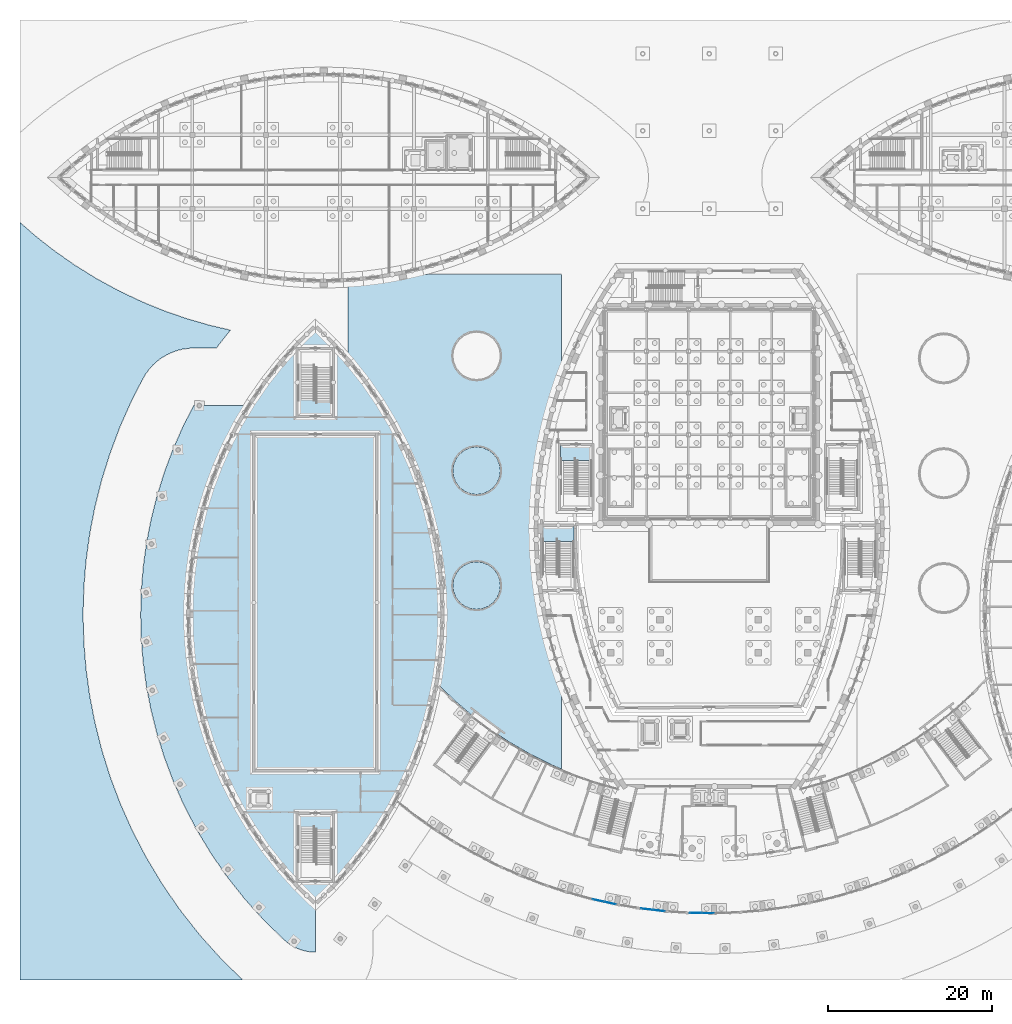
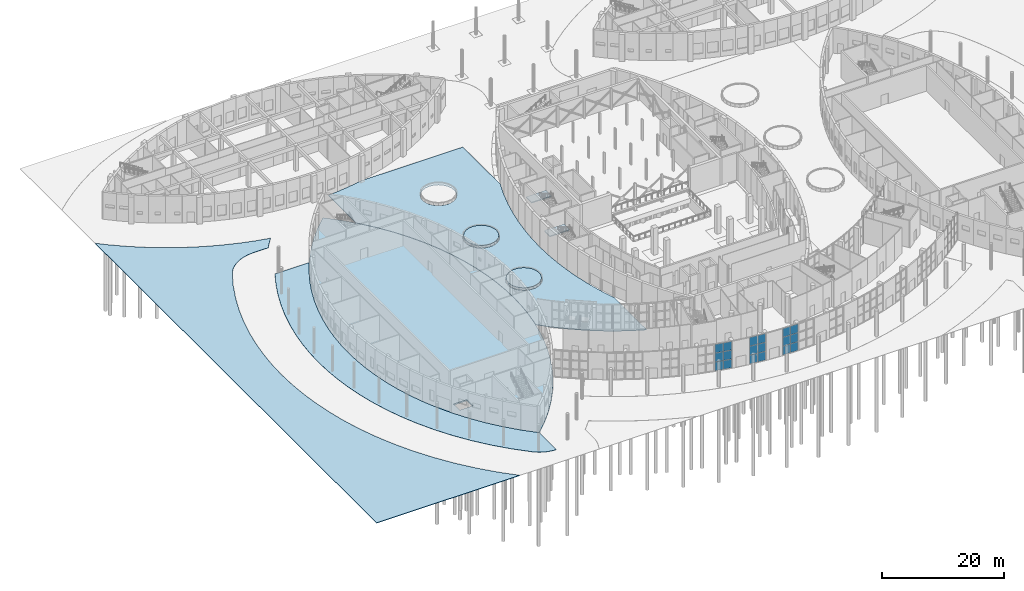
# One storey, part 30 of 82: 18 plates, 8 slabs, 5 elements without a shape of their own.
"""IFC4 building model written with IfcOpenShell, lengths in metres."""

from ifc_helpers import new_model, si_unit, direction, frame, origin, origin_2d, place, context, subcontext, project, spatial, polyline, rectangle, outline, extrude, material, layer, layer_set, type_object, element, aggregate, save


model = new_model("IFC4")

# Units and contexts
model_context = context("Model", 3, precision=1e-05, world=origin(), true_north=direction((0.0, 1.0)))
body_context = subcontext(model_context, "Body", "Model", "MODEL_VIEW")
ifc_project = project(units=[si_unit("LENGTHUNIT", "METRE"), si_unit("AREAUNIT", "SQUARE_METRE"), si_unit("VOLUMEUNIT", "CUBIC_METRE"), si_unit("PLANEANGLEUNIT", "RADIAN"), si_unit("MASSUNIT", "GRAM", prefix="KILO")], contexts=[model_context])

# Site, building, storey
site_placement = place(None, origin())
site = spatial("IfcSite", under=ifc_project, at=site_placement, CompositionType="ELEMENT")
building_placement = place(site_placement, origin())
building = spatial("IfcBuilding", under=site, at=building_placement, Name="Tide Square Theatres", CompositionType="ELEMENT")
storey_placement = place(building_placement, origin())
storey = spatial("IfcBuildingStorey", under=building, at=storey_placement, Name="L00", CompositionType="ELEMENT", Elevation=0.0)

# Curtain wall, plates
ifc_material_1 = material(Name="Aluminium 6063-T5", Category="aluminium")
curtain_wall_type = type_object("IfcCurtainWallType", Name="Unitised system curtain wall 5400 high", PredefinedType="USERDEFINED", material=ifc_material_1)
curtain_wall_1_placement = place(storey_placement, origin())
curtain_wall_1 = element("IfcCurtainWall", 1, at=curtain_wall_1_placement, inside=storey, type_object=curtain_wall_type, Name="Foyer outer curtain wall", ObjectType="UNITISED SYSTEM", PredefinedType="USERDEFINED")
ifc_material_2 = material(Name="Double-glazed unit with aluminium frame", Category="aluminium")
ifc_layer_1 = layer(ifc_material_2, 0.030029296875)
ifc_layer_set_1 = layer_set([ifc_layer_1], Name="Double-glazed unit with aluminium frame")
plate_type = type_object("IfcPlateType", Name="Curtain wall panel 30 thick", PredefinedType="CURTAIN_PANEL", material=ifc_layer_set_1)
plate_1_placement = place(storey_placement, frame((70.494873046875, 9.6826171875, 0.050048828125), z_axis=(0.0, 0.0, 1.0), x_axis=(0.976909597447, -0.213653079584, 0.0)))
plate_1 = element("IfcPlate", 2, at=plate_1_placement, type_object=plate_type, Name="CW-01 panel 1.1", PredefinedType="CURTAIN_PANEL", context=body_context, shape_type="SweptSolid", body=[
    extrude(rectangle(XDim=1.407958984375, YDim=0.030029296875, at=origin_2d()), origin(), (0.0, 0.0, 1.0), 1.72509765625),
])
plate_2_placement = place(storey_placement, frame((70.494873046875, 9.6826171875, 1.824951171875), z_axis=(0.0, 0.0, 1.0), x_axis=(0.976909597447, -0.213653079584, 0.0)))
plate_2 = element("IfcPlate", 3, at=plate_2_placement, type_object=plate_type, Name="CW-01 panel 1.2", PredefinedType="CURTAIN_PANEL", context=body_context, shape_type="SweptSolid", body=[
    extrude(rectangle(XDim=1.407958984375, YDim=0.030029296875, at=origin_2d()), origin(), (0.0, 0.0, 1.0), 1.75),
])
plate_3_placement = place(storey_placement, frame((70.494873046875, 9.6826171875, 3.625), z_axis=(0.0, 0.0, 1.0), x_axis=(0.976909597447, -0.213653079584, 0.0)))
plate_3 = element("IfcPlate", 4, at=plate_3_placement, type_object=plate_type, Name="CW-01 panel 1.3", PredefinedType="CURTAIN_PANEL", context=body_context, shape_type="SweptSolid", body=[
    extrude(rectangle(XDim=1.407958984375, YDim=0.030029296875, at=origin_2d()), origin(), (0.0, 0.0, 1.0), 1.72509765625),
])
plate_4_placement = place(storey_placement, frame((71.928955078125, 9.369140625, 0.050048828125), z_axis=(0.0, 0.0, 1.0), x_axis=(0.976909597447, -0.213653079584, 0.0)))
plate_4 = element("IfcPlate", 5, at=plate_4_placement, type_object=plate_type, Name="CW-01 panel 2.1", PredefinedType="CURTAIN_PANEL", context=body_context, shape_type="SweptSolid", body=[
    extrude(rectangle(XDim=1.407958984375, YDim=0.030029296875, at=origin_2d()), origin(), (0.0, 0.0, 1.0), 1.72509765625),
])
plate_5_placement = place(storey_placement, frame((71.928955078125, 9.369140625, 1.824951171875), z_axis=(0.0, 0.0, 1.0), x_axis=(0.976909597447, -0.213653079584, 0.0)))
plate_5 = element("IfcPlate", 6, at=plate_5_placement, type_object=plate_type, Name="CW-01 panel 2.2", PredefinedType="CURTAIN_PANEL", context=body_context, shape_type="SweptSolid", body=[
    extrude(rectangle(XDim=1.407958984375, YDim=0.030029296875, at=origin_2d()), origin(), (0.0, 0.0, 1.0), 1.75),
])
plate_6_placement = place(storey_placement, frame((71.928955078125, 9.369140625, 3.625), z_axis=(0.0, 0.0, 1.0), x_axis=(0.976909597447, -0.213653079584, 0.0)))
plate_6 = element("IfcPlate", 7, at=plate_6_placement, type_object=plate_type, Name="CW-01 panel 2.3", PredefinedType="CURTAIN_PANEL", context=body_context, shape_type="SweptSolid", body=[
    extrude(rectangle(XDim=1.407958984375, YDim=0.030029296875, at=origin_2d()), origin(), (0.0, 0.0, 1.0), 1.72509765625),
])
aggregate(curtain_wall_1, [plate_1, plate_2, plate_3, plate_4, plate_5, plate_6])

curtain_wall_2_placement = place(storey_placement, origin())
curtain_wall_2 = element("IfcCurtainWall", 8, at=curtain_wall_2_placement, inside=storey, type_object=curtain_wall_type, Name="Foyer outer curtain wall", ObjectType="UNITISED SYSTEM", PredefinedType="USERDEFINED")
plate_7_placement = place(storey_placement, frame((76.389404296875, 8.625, 0.050048828125), z_axis=(0.0, 0.0, 1.0), x_axis=(0.993370727282, -0.114954765797, 0.0)))
plate_7 = element("IfcPlate", 9, at=plate_7_placement, type_object=plate_type, Name="CW-01 panel 1.1", PredefinedType="CURTAIN_PANEL", context=body_context, shape_type="SweptSolid", body=[
    extrude(rectangle(XDim=1.407958984375, YDim=0.030029296875, at=origin_2d()), origin(), (0.0, 0.0, 1.0), 1.72509765625),
])
plate_8_placement = place(storey_placement, frame((76.389404296875, 8.625, 1.824951171875), z_axis=(0.0, 0.0, 1.0), x_axis=(0.993370727282, -0.114954765797, 0.0)))
plate_8 = element("IfcPlate", 10, at=plate_8_placement, type_object=plate_type, Name="CW-01 panel 1.2", PredefinedType="CURTAIN_PANEL", context=body_context, shape_type="SweptSolid", body=[
    extrude(rectangle(XDim=1.407958984375, YDim=0.030029296875, at=origin_2d()), origin(), (0.0, 0.0, 1.0), 1.75),
])
plate_9_placement = place(storey_placement, frame((76.389404296875, 8.625, 3.625), z_axis=(0.0, 0.0, 1.0), x_axis=(0.993370727282, -0.114954765797, 0.0)))
plate_9 = element("IfcPlate", 11, at=plate_9_placement, type_object=plate_type, Name="CW-01 panel 1.3", PredefinedType="CURTAIN_PANEL", context=body_context, shape_type="SweptSolid", body=[
    extrude(rectangle(XDim=1.407958984375, YDim=0.030029296875, at=origin_2d()), origin(), (0.0, 0.0, 1.0), 1.72509765625),
])
plate_10_placement = place(storey_placement, frame((77.84765625, 8.456298828125, 0.050048828125), z_axis=(0.0, 0.0, 1.0), x_axis=(0.993370727282, -0.114954765797, 0.0)))
plate_10 = element("IfcPlate", 12, at=plate_10_placement, type_object=plate_type, Name="CW-01 panel 2.1", PredefinedType="CURTAIN_PANEL", context=body_context, shape_type="SweptSolid", body=[
    extrude(rectangle(XDim=1.407958984375, YDim=0.030029296875, at=origin_2d()), origin(), (0.0, 0.0, 1.0), 1.72509765625),
])
plate_11_placement = place(storey_placement, frame((77.84765625, 8.456298828125, 1.824951171875), z_axis=(0.0, 0.0, 1.0), x_axis=(0.993370727282, -0.114954765797, 0.0)))
plate_11 = element("IfcPlate", 13, at=plate_11_placement, type_object=plate_type, Name="CW-01 panel 2.2", PredefinedType="CURTAIN_PANEL", context=body_context, shape_type="SweptSolid", body=[
    extrude(rectangle(XDim=1.407958984375, YDim=0.030029296875, at=origin_2d()), origin(), (0.0, 0.0, 1.0), 1.75),
])
plate_12_placement = place(storey_placement, frame((77.84765625, 8.456298828125, 3.625), z_axis=(0.0, 0.0, 1.0), x_axis=(0.993370727282, -0.114954765797, 0.0)))
plate_12 = element("IfcPlate", 14, at=plate_12_placement, type_object=plate_type, Name="CW-01 panel 2.3", PredefinedType="CURTAIN_PANEL", context=body_context, shape_type="SweptSolid", body=[
    extrude(rectangle(XDim=1.407958984375, YDim=0.030029296875, at=origin_2d()), origin(), (0.0, 0.0, 1.0), 1.72509765625),
])
aggregate(curtain_wall_2, [plate_7, plate_8, plate_9, plate_10, plate_11, plate_12])

curtain_wall_3_placement = place(storey_placement, origin())
curtain_wall_3 = element("IfcCurtainWall", 15, at=curtain_wall_3_placement, inside=storey, type_object=curtain_wall_type, Name="Foyer outer curtain wall", ObjectType="UNITISED SYSTEM", PredefinedType="USERDEFINED")
plate_13_placement = place(storey_placement, frame((82.360107421875, 8.161865234375, 0.050048828125), z_axis=(0.0, 0.0, 1.0), x_axis=(0.999885679455, -0.015120450414, 0.0)))
plate_13 = element("IfcPlate", 16, at=plate_13_placement, type_object=plate_type, Name="CW-01 panel 1.1", PredefinedType="CURTAIN_PANEL", context=body_context, shape_type="SweptSolid", body=[
    extrude(rectangle(XDim=1.407958984375, YDim=0.030029296875, at=origin_2d()), origin(), (0.0, 0.0, 1.0), 1.72509765625),
])
plate_14_placement = place(storey_placement, frame((82.360107421875, 8.161865234375, 1.824951171875), z_axis=(0.0, 0.0, 1.0), x_axis=(0.999885679455, -0.015120450414, 0.0)))
plate_14 = element("IfcPlate", 17, at=plate_14_placement, type_object=plate_type, Name="CW-01 panel 1.2", PredefinedType="CURTAIN_PANEL", context=body_context, shape_type="SweptSolid", body=[
    extrude(rectangle(XDim=1.407958984375, YDim=0.030029296875, at=origin_2d()), origin(), (0.0, 0.0, 1.0), 1.75),
])
plate_15_placement = place(storey_placement, frame((82.360107421875, 8.161865234375, 3.625), z_axis=(0.0, 0.0, 1.0), x_axis=(0.999885679455, -0.015120450414, 0.0)))
plate_15 = element("IfcPlate", 18, at=plate_15_placement, type_object=plate_type, Name="CW-01 panel 1.3", PredefinedType="CURTAIN_PANEL", context=body_context, shape_type="SweptSolid", body=[
    extrude(rectangle(XDim=1.407958984375, YDim=0.030029296875, at=origin_2d()), origin(), (0.0, 0.0, 1.0), 1.72509765625),
])
plate_16_placement = place(storey_placement, frame((83.827880859375, 8.1396484375, 0.050048828125), z_axis=(0.0, 0.0, 1.0), x_axis=(0.999885679455, -0.015120450414, 0.0)))
plate_16 = element("IfcPlate", 19, at=plate_16_placement, type_object=plate_type, Name="CW-01 panel 2.1", PredefinedType="CURTAIN_PANEL", context=body_context, shape_type="SweptSolid", body=[
    extrude(rectangle(XDim=1.407958984375, YDim=0.030029296875, at=origin_2d()), origin(), (0.0, 0.0, 1.0), 1.72509765625),
])
plate_17_placement = place(storey_placement, frame((83.827880859375, 8.1396484375, 1.824951171875), z_axis=(0.0, 0.0, 1.0), x_axis=(0.999885679455, -0.015120450414, 0.0)))
plate_17 = element("IfcPlate", 20, at=plate_17_placement, type_object=plate_type, Name="CW-01 panel 2.2", PredefinedType="CURTAIN_PANEL", context=body_context, shape_type="SweptSolid", body=[
    extrude(rectangle(XDim=1.407958984375, YDim=0.030029296875, at=origin_2d()), origin(), (0.0, 0.0, 1.0), 1.75),
])
plate_18_placement = place(storey_placement, frame((83.827880859375, 8.1396484375, 3.625), z_axis=(0.0, 0.0, 1.0), x_axis=(0.999885679455, -0.015120450414, 0.0)))
plate_18 = element("IfcPlate", 21, at=plate_18_placement, type_object=plate_type, Name="CW-01 panel 2.3", PredefinedType="CURTAIN_PANEL", context=body_context, shape_type="SweptSolid", body=[
    extrude(rectangle(XDim=1.407958984375, YDim=0.030029296875, at=origin_2d()), origin(), (0.0, 0.0, 1.0), 1.72509765625),
])
aggregate(curtain_wall_3, [plate_13, plate_14, plate_15, plate_16, plate_17, plate_18])

# Slabs
ifc_material_3 = material(Name="Concrete C30", Category="concrete")
ifc_layer_2 = layer(ifc_material_3, 0.10009765625)
ifc_layer_set_2 = layer_set([ifc_layer_2], Name="Concrete C30")
slab_type_1 = type_object("IfcSlabType", Name="Paving slab 100", PredefinedType="USERDEFINED", material=ifc_layer_set_2)
slab_1_placement = place(storey_placement, frame((0.0, 0.0, -0.10009765625)))
element("IfcSlab", 22, at=slab_1_placement, inside=storey, type_object=slab_type_1, Name="Arcade paving", ObjectType="PAVING", PredefinedType="USERDEFINED", context=body_context, shape_type="SweptSolid", body=[
    extrude(outline(polyline([(27.5048828125, 9.74609375), (29.601318359375, 7.42529296875), (29.8544921875, 7.16259765625), (32.097900390625, 4.9833984375), (32.50244140625, 4.62646484375), (32.939453125, 4.310302734375), (33.40478515625, 4.03759765625), (33.89453125, 3.810791015625), (34.403564453125, 3.63232421875), (34.927490234375, 3.503662109375), (35.461181640625, 3.426025390625), (36.0, 3.39990234375), (36.0, 9.0), (33.756591796875, 11.17919921875), (31.66015625, 13.5), (29.745361328125, 15.9169921875), (27.98974609375, 18.451904296875), (26.400390625, 21.09423828125), (24.98388671875, 23.833251953125), (23.87646484375, 26.33642578125), (22.913330078125, 28.898681640625), (22.097900390625, 31.511474609375), (21.4326171875, 34.166748046875), (20.94140625, 36.723388671875), (20.58935546875, 39.302734375), (20.377685546875, 41.897705078125), (20.30712890625, 44.5), (20.377685546875, 47.102294921875), (20.58935546875, 49.697265625), (20.94140625, 52.276611328125), (21.4326171875, 54.833251953125), (22.097900390625, 57.488525390625), (22.913330078125, 60.101318359375), (23.87646484375, 62.66357421875), (24.98388671875, 65.166748046875), (26.400390625, 67.90576171875), (27.659912109375, 70.0), (21.178955078125, 70.0), (20.009765625, 67.739013671875), (19.863037109375, 67.4326171875), (18.75537109375, 64.9296875), (18.634521484375, 64.634033203125), (17.67138671875, 62.07177734375), (17.567626953125, 61.769775390625), (16.752197265625, 59.156982421875), (16.665771484375, 58.849609375), (16.00048828125, 56.1943359375), (15.93310546875, 55.89013671875), (15.44189453125, 53.33349609375), (15.392578125, 53.03369140625), (15.040771484375, 50.454345703125), (15.0078125, 50.15234375), (14.796142578125, 47.5576171875), (14.77978515625, 47.25439453125), (14.709228515625, 44.65185546875), (14.709228515625, 44.34814453125), (14.77978515625, 41.74560546875), (14.796142578125, 41.4423828125), (15.0078125, 38.84765625), (15.040771484375, 38.545654296875), (15.392578125, 35.96630859375), (15.44189453125, 35.66650390625), (15.93310546875, 33.10986328125), (16.00048828125, 32.8056640625), (16.665771484375, 30.150390625), (16.752197265625, 29.843017578125), (17.567626953125, 27.230224609375), (17.67138671875, 26.92822265625), (18.634521484375, 24.365966796875), (18.75537109375, 24.0703125), (19.863037109375, 21.5673828125), (20.009765625, 21.260986328125), (21.426025390625, 18.522216796875), (21.6015625, 18.2080078125), (23.19091796875, 15.565673828125), (23.385986328125, 15.263427734375), (25.1416015625, 12.728515625), (25.35595703125, 12.439453125), (27.270751953125, 10.0224609375), (27.5048828125, 9.74609375)])), origin(), (0.0, 0.0, 1.0), 0.10009765625),
])
slab_2_placement = place(storey_placement, frame((0.0, 0.0, -0.10009765625)))
element("IfcSlab", 23, at=slab_2_placement, inside=storey, type_object=slab_type_1, Name="West Court paving", ObjectType="PAVING", PredefinedType="USERDEFINED", context=body_context, shape_type="SweptSolid", body=[
    extrude(outline(polyline([(40.0, 85.1162109375), (40.0, 75.906005859375), (40.354736328125, 75.513427734375), (42.270263671875, 73.095458984375), (44.02685546875, 70.5595703125), (45.61669921875, 67.916015625), (47.03369140625, 65.17578125), (48.141845703125, 62.671630859375), (49.10546875, 60.1083984375), (49.92138671875, 57.494384765625), (50.5869140625, 54.838134765625), (51.078369140625, 52.280517578125), (51.430419921875, 49.699951171875), (51.64208984375, 47.10400390625), (51.712890625, 44.50048828125), (51.642333984375, 41.89697265625), (51.4306640625, 39.30126953125), (51.07861328125, 36.720703125), (50.9482421875, 36.0419921875), (52.88818359375, 34.14404296875), (55.06201171875, 32.268310546875), (57.348388671875, 30.531982421875), (59.739013671875, 28.94140625), (62.22412109375, 27.50341796875), (64.794189453125, 26.223388671875), (66.0, 25.7138671875), (66.0, 36.2734375), (65.923095703125, 36.46875), (65.041259765625, 39.089111328125), (64.294921875, 41.751220703125), (63.685546875, 44.447998046875), (63.231201171875, 47.063720703125), (62.90576171875, 49.6982421875), (62.710205078125, 52.345703125), (62.64501953125, 54.99951171875), (62.710205078125, 57.6533203125), (62.90576171875, 60.30078125), (63.23095703125, 62.935302734375), (63.685302734375, 65.55078125), (64.294677734375, 68.247802734375), (65.041015625, 70.909912109375), (65.922607421875, 73.530517578125), (66.0, 73.7265625), (66.0, 86.0), (46.68408203125, 86.0), (46.6044921875, 85.9814453125), (44.224853515625, 85.557861328125), (41.826904296875, 85.25439453125), (40.0, 85.1162109375)]), holes=[polyline([(58.64892578125, 48.0693359375), (58.546630859375, 48.845703125), (58.2470703125, 49.5693359375), (57.770263671875, 50.190673828125), (57.14892578125, 50.66748046875), (56.42529296875, 50.967041015625), (55.64892578125, 51.0693359375), (54.872314453125, 50.967041015625), (54.14892578125, 50.66748046875), (53.527587890625, 50.190673828125), (53.05078125, 49.5693359375), (52.751220703125, 48.845703125), (52.64892578125, 48.0693359375), (52.751220703125, 47.292724609375), (53.05078125, 46.5693359375), (53.527587890625, 45.947998046875), (54.14892578125, 45.47119140625), (54.872314453125, 45.17138671875), (55.64892578125, 45.0693359375), (56.42529296875, 45.17138671875), (57.14892578125, 45.47119140625), (57.770263671875, 45.947998046875), (58.2470703125, 46.5693359375), (58.546630859375, 47.292724609375), (58.64892578125, 48.0693359375)]), polyline([(58.546630859375, 61.292724609375), (58.64892578125, 62.0693359375), (58.546630859375, 62.845703125), (58.2470703125, 63.5693359375), (57.770263671875, 64.190673828125), (57.14892578125, 64.66748046875), (56.42529296875, 64.967041015625), (55.64892578125, 65.0693359375), (54.872314453125, 64.967041015625), (54.14892578125, 64.66748046875), (53.527587890625, 64.190673828125), (53.05078125, 63.5693359375), (52.751220703125, 62.845703125), (52.64892578125, 62.0693359375), (52.751220703125, 61.292724609375), (53.05078125, 60.5693359375), (53.527587890625, 59.947998046875), (54.14892578125, 59.47119140625), (54.872314453125, 59.17138671875), (55.64892578125, 59.0693359375), (56.42529296875, 59.17138671875), (57.14892578125, 59.47119140625), (57.770263671875, 59.947998046875), (58.2470703125, 60.5693359375), (58.546630859375, 61.292724609375)]), polyline([(58.546630859375, 75.292724609375), (58.64892578125, 76.0693359375), (58.546630859375, 76.845703125), (58.2470703125, 77.5693359375), (57.770263671875, 78.190673828125), (57.14892578125, 78.66748046875), (56.42529296875, 78.967041015625), (55.64892578125, 79.0693359375), (54.872314453125, 78.967041015625), (54.14892578125, 78.66748046875), (53.527587890625, 78.190673828125), (53.05078125, 77.5693359375), (52.751220703125, 76.845703125), (52.64892578125, 76.0693359375), (52.751220703125, 75.292724609375), (53.05078125, 74.5693359375), (53.527587890625, 73.947998046875), (54.14892578125, 73.47119140625), (54.872314453125, 73.17138671875), (55.64892578125, 73.0693359375), (56.42529296875, 73.17138671875), (57.14892578125, 73.47119140625), (57.770263671875, 73.947998046875), (58.2470703125, 74.5693359375), (58.546630859375, 75.292724609375)])]), origin(), (0.0, 0.0, 1.0), 0.10009765625),
])
slab_3_placement = place(storey_placement, frame((0.0, 0.0, -0.10009765625)))
element("IfcSlab", 24, at=slab_3_placement, inside=storey, type_object=slab_type_1, Name="Square paving", ObjectType="PAVING", PredefinedType="USERDEFINED", context=body_context, shape_type="SweptSolid", body=[
    extrude(outline(polyline([(0.0, 0.0), (27.153076171875, 0.0), (24.962890625, 2.127685546875), (24.8017578125, 2.289306640625), (24.54833984375, 2.55224609375), (24.392333984375, 2.71923828125), (22.29541015625, 5.0400390625), (22.146240234375, 5.2109375), (21.912109375, 5.48779296875), (21.768310546875, 5.6630859375), (19.853271484375, 8.080322265625), (19.71630859375, 8.259033203125), (19.501953125, 8.54833984375), (19.37060546875, 8.7314453125), (17.614990234375, 11.2666015625), (17.48974609375, 11.453857421875), (17.294189453125, 11.756103515625), (17.175048828125, 11.947265625), (15.585693359375, 14.590087890625), (15.47265625, 14.784912109375), (15.297119140625, 15.09912109375), (15.1904296875, 15.297607421875), (13.774169921875, 18.036865234375), (13.67919921875, 18.22705078125), (13.532470703125, 18.533447265625), (13.443603515625, 18.7265625), (12.335693359375, 21.22998046875), (12.25732421875, 21.413818359375), (12.136474609375, 21.709716796875), (12.0634765625, 21.895751953125), (11.100341796875, 24.458251953125), (11.03271484375, 24.646484375), (10.9287109375, 24.948486328125), (10.866455078125, 25.138671875), (10.05078125, 27.751708984375), (9.994140625, 27.943359375), (9.90771484375, 28.251220703125), (9.856201171875, 28.4443359375), (9.19091796875, 31.099609375), (9.146240234375, 31.28955078125), (9.078857421875, 31.593994140625), (9.039306640625, 31.784912109375), (8.548095703125, 34.341796875), (8.5146484375, 34.529052734375), (8.46533203125, 34.8291015625), (8.437255859375, 35.01708984375), (8.085205078125, 37.5966796875), (8.06201171875, 37.785400390625), (8.029052734375, 38.087646484375), (8.010986328125, 38.27685546875), (7.799560546875, 40.8720703125), (7.78662109375, 41.061767578125), (7.77001953125, 41.365234375), (7.762451171875, 41.55517578125), (7.69189453125, 44.157958984375), (7.689208984375, 44.347900390625), (7.689208984375, 44.652099609375), (7.69189453125, 44.842041015625), (7.762451171875, 47.44482421875), (7.77001953125, 47.634765625), (7.78662109375, 47.938232421875), (7.799560546875, 48.1279296875), (8.010986328125, 50.72314453125), (8.029052734375, 50.912353515625), (8.06201171875, 51.214599609375), (8.085205078125, 51.4033203125), (8.437255859375, 53.98291015625), (8.46533203125, 54.1708984375), (8.5146484375, 54.470947265625), (8.548095703125, 54.658203125), (9.039306640625, 57.215087890625), (9.078857421875, 57.406005859375), (9.146240234375, 57.71044921875), (9.19091796875, 57.900390625), (9.856201171875, 60.5556640625), (9.90771484375, 60.748779296875), (9.994140625, 61.056640625), (10.05078125, 61.248291015625), (10.866455078125, 63.861328125), (10.9287109375, 64.051513671875), (11.03271484375, 64.353515625), (11.100341796875, 64.541748046875), (12.0634765625, 67.104248046875), (12.136474609375, 67.290283203125), (12.25732421875, 67.586181640625), (12.335693359375, 67.77001953125), (13.443603515625, 70.2734375), (13.532470703125, 70.466552734375), (13.67919921875, 70.77294921875), (13.774169921875, 70.963134765625), (14.943603515625, 73.224853515625), (15.294189453125, 73.827392578125), (15.703125, 74.392578125), (16.166015625, 74.914306640625), (16.6787109375, 75.3876953125), (17.235595703125, 75.807861328125), (17.83154296875, 76.17041015625), (18.460205078125, 76.472412109375), (19.1162109375, 76.710205078125), (19.792236328125, 76.881591796875), (20.482177734375, 76.9853515625), (21.178466796875, 77.02001953125), (23.929931640625, 77.02001953125), (23.974609375, 77.080078125), (24.24267578125, 77.442138671875), (25.637939453125, 79.203369140625), (23.35888671875, 79.731201171875), (23.00244140625, 79.82373046875), (20.57861328125, 80.521240234375), (20.2275390625, 80.632080078125), (17.84375, 81.4560546875), (17.4990234375, 81.58544921875), (15.16162109375, 82.533203125), (14.806884765625, 82.688720703125), (12.288818359375, 83.87548828125), (11.92626953125, 84.0595703125), (9.48095703125, 85.390625), (9.1298828125, 85.59521484375), (6.765869140625, 87.06591796875), (6.427001953125, 87.29052734375), (4.15234375, 88.8955078125), (3.8447265625, 89.12548828125), (1.903564453125, 90.661376953125), (1.6259765625, 90.892578125), (0.0, 92.3212890625), (0.0, 0.0)])), origin(), (0.0, 0.0, 1.0), 0.10009765625),
])
ifc_material_4 = material(Name="Topsoil on drainage layer")
ifc_layer_3 = layer(ifc_material_4, 0.5)
ifc_layer_set_3 = layer_set([ifc_layer_3], Name="Topsoil on drainage layer")
slab_type_2 = type_object("IfcSlabType", Name="Planting bed 500", PredefinedType="USERDEFINED", material=ifc_layer_set_3)
slab_4_placement = place(storey_placement, frame((0.0, 0.0, -0.050048828125)))
element("IfcSlab", 25, at=slab_4_placement, inside=storey, type_object=slab_type_2, Name="Planting bed", ObjectType="PLANTING BED", PredefinedType="USERDEFINED", context=body_context, shape_type="SweptSolid", body=[
    extrude(outline(polyline([(58.44921875, 48.819580078125), (58.15966796875, 49.518798828125), (57.698974609375, 50.119384765625), (57.098388671875, 50.580078125), (56.3994140625, 50.86962890625), (55.64892578125, 50.968505859375), (54.8984375, 50.86962890625), (54.19921875, 50.580078125), (53.598876953125, 50.119384765625), (53.13818359375, 49.518798828125), (52.848388671875, 48.819580078125), (52.749755859375, 48.0693359375), (52.848388671875, 47.31884765625), (53.13818359375, 46.61962890625), (53.598876953125, 46.019287109375), (54.19921875, 45.55859375), (54.8984375, 45.268798828125), (55.64892578125, 45.170166015625), (56.3994140625, 45.268798828125), (57.098388671875, 45.55859375), (57.698974609375, 46.019287109375), (58.15966796875, 46.61962890625), (58.44921875, 47.31884765625), (58.548095703125, 48.0693359375), (58.44921875, 48.819580078125)])), origin(), (0.0, 0.0, 1.0), 0.5),
])
slab_5_placement = place(storey_placement, frame((0.0, 0.0, -0.050048828125)))
element("IfcSlab", 26, at=slab_5_placement, inside=storey, type_object=slab_type_2, Name="Planting bed", ObjectType="PLANTING BED", PredefinedType="USERDEFINED", context=body_context, shape_type="SweptSolid", body=[
    extrude(outline(polyline([(58.44921875, 62.819580078125), (58.15966796875, 63.518798828125), (57.698974609375, 64.119384765625), (57.098388671875, 64.580078125), (56.3994140625, 64.86962890625), (55.64892578125, 64.968505859375), (54.8984375, 64.86962890625), (54.19921875, 64.580078125), (53.598876953125, 64.119384765625), (53.13818359375, 63.518798828125), (52.848388671875, 62.819580078125), (52.749755859375, 62.0693359375), (52.848388671875, 61.31884765625), (53.13818359375, 60.61962890625), (53.598876953125, 60.019287109375), (54.19921875, 59.55859375), (54.8984375, 59.268798828125), (55.64892578125, 59.170166015625), (56.3994140625, 59.268798828125), (57.098388671875, 59.55859375), (57.698974609375, 60.019287109375), (58.15966796875, 60.61962890625), (58.44921875, 61.31884765625), (58.548095703125, 62.0693359375), (58.44921875, 62.819580078125)])), origin(), (0.0, 0.0, 1.0), 0.5),
])
ifc_material_5 = material(Name="Concrete C35", Category="concrete")
ifc_layer_4 = layer(ifc_material_5, 0.25)
ifc_layer_set_4 = layer_set([ifc_layer_4], Name="Concrete C35")
slab_type_3 = type_object("IfcSlabType", Name="RC baseslab slab 250", PredefinedType="BASESLAB", material=ifc_layer_set_4)
slab_6_placement = place(storey_placement, frame((0.0, 0.0, -0.25)))
element("IfcSlab", 27, at=slab_6_placement, inside=storey, type_object=slab_type_3, Name="Studio Theatre ground slab", PredefinedType="BASESLAB", context=body_context, shape_type="SweptSolid", body=[
    extrude(outline(polyline([(36.0, 9.0), (38.243408203125, 11.17919921875), (40.33984375, 13.5), (42.254638671875, 15.9169921875), (44.01025390625, 18.451904296875), (45.599609375, 21.09423828125), (47.01611328125, 23.833251953125), (48.12353515625, 26.33642578125), (49.086669921875, 28.898681640625), (49.902099609375, 31.511474609375), (50.5673828125, 34.166748046875), (51.05859375, 36.723388671875), (51.41064453125, 39.302734375), (51.622314453125, 41.897705078125), (51.69287109375, 44.5), (51.622314453125, 47.102294921875), (51.41064453125, 49.697265625), (51.05859375, 52.276611328125), (50.5673828125, 54.833251953125), (49.902099609375, 57.488525390625), (49.086669921875, 60.101318359375), (48.12353515625, 62.66357421875), (47.01611328125, 65.166748046875), (45.599609375, 67.90576171875), (44.01025390625, 70.548095703125), (42.254638671875, 73.0830078125), (40.33984375, 75.5), (38.243408203125, 77.82080078125), (36.0, 80.0), (33.756591796875, 77.82080078125), (31.66015625, 75.5), (29.745361328125, 73.0830078125), (27.98974609375, 70.548095703125), (26.400390625, 67.90576171875), (24.98388671875, 65.166748046875), (23.87646484375, 62.66357421875), (22.913330078125, 60.101318359375), (22.097900390625, 57.488525390625), (21.4326171875, 54.833251953125), (20.94140625, 52.276611328125), (20.58935546875, 49.697265625), (20.377685546875, 47.102294921875), (20.30712890625, 44.5), (20.377685546875, 41.897705078125), (20.58935546875, 39.302734375), (20.94140625, 36.723388671875), (21.4326171875, 34.166748046875), (22.097900390625, 31.511474609375), (22.913330078125, 28.898681640625), (23.87646484375, 26.33642578125), (24.98388671875, 23.833251953125), (26.400390625, 21.09423828125), (27.98974609375, 18.451904296875), (29.745361328125, 15.9169921875), (31.66015625, 13.5), (33.756591796875, 11.17919921875), (36.0, 9.0)]), holes=[polyline([(30.419921875, 21.10009765625), (30.419921875, 23.10009765625), (27.919921875, 23.10009765625), (27.919921875, 21.10009765625), (30.419921875, 21.10009765625)])]), origin(), (0.0, 0.0, 1.0), 0.25),
])

# Stair, slab
ifc_material_6 = material(Name="Concrete C35", Category="concrete")
stair_type = type_object("IfcStairType", Name="Stair half turn 1800 wide, 32 risers, rise 5400", PredefinedType="HALF_TURN_STAIR", material=ifc_material_6)
stair_1_placement = place(storey_placement, origin())
stair_1 = element("IfcStair", 28, at=stair_1_placement, inside=storey, type_object=stair_type, Name="Main Theatre West Stair", PredefinedType="HALF_TURN_STAIR")
ifc_material_7 = material(Name="Concrete C35", Category="concrete")
ifc_layer_5 = layer(ifc_material_7, 0.199951171875)
ifc_layer_set_5 = layer_set([ifc_layer_5], Name="Concrete C35")
slab_type_4 = type_object("IfcSlabType", Name="RC landing slab 200", PredefinedType="LANDING", material=ifc_layer_set_5)
slab_7_placement = place(storey_placement, frame((0.0, 0.0, 2.5)))
slab_7 = element("IfcSlab", 29, at=slab_7_placement, type_object=slab_type_4, Name="ST-1800-5400 landing 1", PredefinedType="LANDING", context=body_context, shape_type="SweptSolid", body=[
    extrude(outline(polyline([(69.699951171875, 63.300048828125), (69.699951171875, 65.14990234375), (65.89990234375, 65.14990234375), (65.89990234375, 63.300048828125), (69.699951171875, 63.300048828125)])), origin(), (0.0, 0.0, 1.0), 0.199951171875),
])
aggregate(stair_1, [slab_7])

stair_2_placement = place(storey_placement, origin())
stair_2 = element("IfcStair", 30, at=stair_2_placement, inside=storey, type_object=stair_type, Name="Main Theatre West Circle Stair", PredefinedType="HALF_TURN_STAIR")
slab_8_placement = place(storey_placement, frame((0.0, 0.0, 2.5)))
slab_8 = element("IfcSlab", 31, at=slab_8_placement, type_object=slab_type_4, Name="ST-1800-5400 landing 1", PredefinedType="LANDING", context=body_context, shape_type="SweptSolid", body=[
    extrude(outline(polyline([(67.5, 53.449951171875), (67.5, 55.300048828125), (63.699951171875, 55.300048828125), (63.699951171875, 53.449951171875), (67.5, 53.449951171875)])), origin(), (0.0, 0.0, 1.0), 0.199951171875),
])
aggregate(stair_2, [slab_8])

save(model, "model.ifc")
